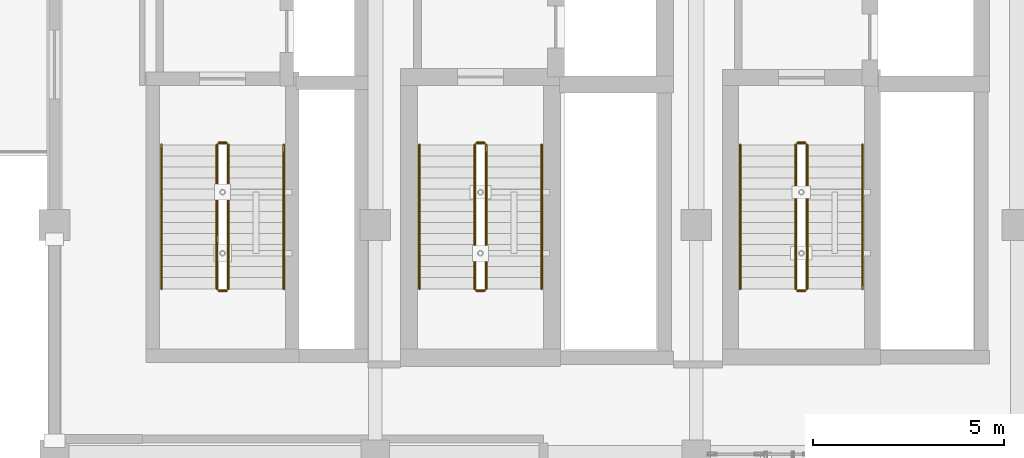
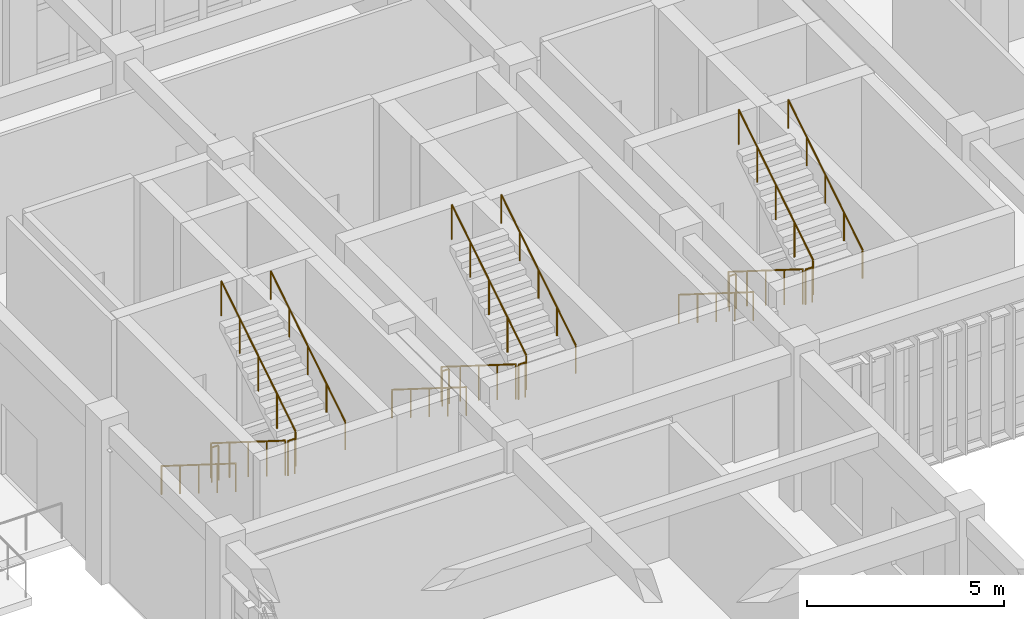
# One storey, part 93 of 93: 18 railings.
"""IFC4 building model written with IfcOpenShell, lengths in metres."""

from ifc_helpers import new_model, si_unit, direction, frame, origin, origin_2d, place, context, subcontext, project, spatial, circle, extrude, material, type_object, element, save


model = new_model("IFC4")

# Units and contexts
model_context = context("Model", 3, precision=1e-05, world=origin(), true_north=direction((0.0, 1.0)))
body_context = subcontext(model_context, "Body", "Model", "MODEL_VIEW")
ifc_project = project(units=[si_unit("LENGTHUNIT", "METRE"), si_unit("AREAUNIT", "SQUARE_METRE"), si_unit("VOLUMEUNIT", "CUBIC_METRE"), si_unit("PLANEANGLEUNIT", "RADIAN"), si_unit("MASSUNIT", "GRAM", prefix="KILO")], contexts=[model_context])

# Site, building, storey
site_placement = place(None, origin())
site = spatial("IfcSite", under=ifc_project, at=site_placement, CompositionType="ELEMENT")
building_placement = place(site_placement, origin())
building = spatial("IfcBuilding", under=site, at=building_placement, Name="Krzemoval Escarpment Law Courts", CompositionType="ELEMENT")
storey_placement = place(building_placement, frame((0.0, 0.0, 10.199951171875)))
storey = spatial("IfcBuildingStorey", under=building, at=storey_placement, Name="L02", CompositionType="ELEMENT", Elevation=10.199951171875)

# Railings
ifc_material_1 = material(Name="Galvanised Steel S355", Category="steel")
railing_type_1 = type_object("IfcRailingType", Name="RL-GRD-1100", PredefinedType="GUARDRAIL", material=ifc_material_1)
railing_1_placement = place(storey_placement, frame((130.25, 101.699951171875, 0.18212890625)))
element("IfcRailing", 1, at=railing_1_placement, inside=storey, type_object=railing_type_1, Name="L02 ST1 stair guard 1", PredefinedType="GUARDRAIL", context=body_context, shape_type="SweptSolid", body=[
    extrude(circle(Radius=0.02392578125, at=origin_2d()), frame((0.0, 0.0, 1.076171875), z_axis=(0.0, -0.846819337722, 0.53188063441), x_axis=(1.0, 0.0, 0.0)), (0.0, 0.0, 1.0), 4.451904296875),
    extrude(circle(Radius=0.02099609375, at=origin_2d()), origin(), (0.0, 0.0, 1.0), 1.052001953125),
    extrude(circle(Radius=0.02099609375, at=origin_2d()), frame((0.0, -0.9423828125, 0.592041015625)), (0.0, 0.0, 1.0), 1.052001953125),
    extrude(circle(Radius=0.02099609375, at=origin_2d()), frame((0.0, -1.885009765625, 1.18408203125)), (0.0, 0.0, 1.0), 1.052001953125),
    extrude(circle(Radius=0.02099609375, at=origin_2d()), frame((0.0, -2.82763671875, 1.77587890625)), (0.0, 0.0, 1.0), 1.052001953125),
    extrude(circle(Radius=0.02099609375, at=origin_2d()), frame((0.0, -3.77001953125, 2.367919921875)), (0.0, 0.0, 1.0), 1.052001953125),
])
railing_2_placement = place(storey_placement, frame((130.300048828125, 97.8798828125, 2.550048828125)))
element("IfcRailing", 2, at=railing_2_placement, inside=storey, type_object=railing_type_1, Name="L02 ST1 stair guard 2", PredefinedType="GUARDRAIL", context=body_context, shape_type="SweptSolid", body=[
    extrude(circle(Radius=0.02392578125, at=origin_2d()), frame((0.0, 0.0, 1.076171875), z_axis=(1.0, 0.0, 0.0), x_axis=(0.0, 1.0, 0.0)), (0.0, 0.0, 1.0), 0.199951171875),
    extrude(circle(Radius=0.02099609375, at=origin_2d()), origin(), (0.0, 0.0, 1.0), 1.052001953125),
    extrude(circle(Radius=0.02099609375, at=origin_2d()), frame((0.199951171875, 0.0, 0.0)), (0.0, 0.0, 1.0), 1.052001953125),
])
railing_3_placement = place(storey_placement, frame((130.550048828125, 97.929931640625, 2.732177734375)))
element("IfcRailing", 3, at=railing_3_placement, inside=storey, type_object=railing_type_1, Name="L02 ST1 stair guard 3", PredefinedType="GUARDRAIL", context=body_context, shape_type="SweptSolid", body=[
    extrude(circle(Radius=0.02392578125, at=origin_2d()), frame((0.0, 0.0, 1.076171875), z_axis=(0.0, 0.846819337722, 0.53188063441), x_axis=(-1.0, 0.0, 0.0)), (0.0, 0.0, 1.0), 4.451904296875),
    extrude(circle(Radius=0.02099609375, at=origin_2d()), origin(), (0.0, 0.0, 1.0), 1.052001953125),
    extrude(circle(Radius=0.02099609375, at=origin_2d()), frame((0.0, 0.9423828125, 0.592041015625)), (0.0, 0.0, 1.0), 1.052001953125),
    extrude(circle(Radius=0.02099609375, at=origin_2d()), frame((0.0, 1.885009765625, 1.18408203125)), (0.0, 0.0, 1.0), 1.052001953125),
    extrude(circle(Radius=0.02099609375, at=origin_2d()), frame((0.0, 2.82763671875, 1.77587890625)), (0.0, 0.0, 1.0), 1.052001953125),
    extrude(circle(Radius=0.02099609375, at=origin_2d()), frame((0.0, 3.77001953125, 2.367919921875)), (0.0, 0.0, 1.0), 1.052001953125),
])
railing_4_placement = place(storey_placement, frame((130.300048828125, 101.75, 0.0)))
element("IfcRailing", 4, at=railing_4_placement, inside=storey, type_object=railing_type_1, Name="L02 ST1 stair guard 4", PredefinedType="GUARDRAIL", context=body_context, shape_type="SweptSolid", body=[
    extrude(circle(Radius=0.02392578125, at=origin_2d()), frame((0.0, 0.0, 1.076171875), z_axis=(1.0, 0.0, 0.0), x_axis=(0.0, 1.0, 0.0)), (0.0, 0.0, 1.0), 0.199951171875),
    extrude(circle(Radius=0.02099609375, at=origin_2d()), origin(), (0.0, 0.0, 1.0), 1.052001953125),
    extrude(circle(Radius=0.02099609375, at=origin_2d()), frame((0.199951171875, 0.0, 0.0)), (0.0, 0.0, 1.0), 1.052001953125),
])
railing_5_placement = place(storey_placement, frame((137.0, 101.699951171875, 0.18212890625)))
element("IfcRailing", 5, at=railing_5_placement, inside=storey, type_object=railing_type_1, Name="L02 ST2 stair guard 1", PredefinedType="GUARDRAIL", context=body_context, shape_type="SweptSolid", body=[
    extrude(circle(Radius=0.02392578125, at=origin_2d()), frame((0.0, 0.0, 1.076171875), z_axis=(0.0, -0.846819337722, 0.53188063441), x_axis=(1.0, 0.0, 0.0)), (0.0, 0.0, 1.0), 4.451904296875),
    extrude(circle(Radius=0.02099609375, at=origin_2d()), origin(), (0.0, 0.0, 1.0), 1.052001953125),
    extrude(circle(Radius=0.02099609375, at=origin_2d()), frame((0.0, -0.9423828125, 0.592041015625)), (0.0, 0.0, 1.0), 1.052001953125),
    extrude(circle(Radius=0.02099609375, at=origin_2d()), frame((0.0, -1.885009765625, 1.18408203125)), (0.0, 0.0, 1.0), 1.052001953125),
    extrude(circle(Radius=0.02099609375, at=origin_2d()), frame((0.0, -2.82763671875, 1.77587890625)), (0.0, 0.0, 1.0), 1.052001953125),
    extrude(circle(Radius=0.02099609375, at=origin_2d()), frame((0.0, -3.77001953125, 2.367919921875)), (0.0, 0.0, 1.0), 1.052001953125),
])
railing_6_placement = place(storey_placement, frame((137.050048828125, 97.8798828125, 2.550048828125)))
element("IfcRailing", 6, at=railing_6_placement, inside=storey, type_object=railing_type_1, Name="L02 ST2 stair guard 2", PredefinedType="GUARDRAIL", context=body_context, shape_type="SweptSolid", body=[
    extrude(circle(Radius=0.02392578125, at=origin_2d()), frame((0.0, 0.0, 1.076171875), z_axis=(1.0, 0.0, 0.0), x_axis=(0.0, 1.0, 0.0)), (0.0, 0.0, 1.0), 0.199951171875),
    extrude(circle(Radius=0.02099609375, at=origin_2d()), origin(), (0.0, 0.0, 1.0), 1.052001953125),
    extrude(circle(Radius=0.02099609375, at=origin_2d()), frame((0.199951171875, 0.0, 0.0)), (0.0, 0.0, 1.0), 1.052001953125),
])
railing_7_placement = place(storey_placement, frame((137.300048828125, 97.929931640625, 2.732177734375)))
element("IfcRailing", 7, at=railing_7_placement, inside=storey, type_object=railing_type_1, Name="L02 ST2 stair guard 3", PredefinedType="GUARDRAIL", context=body_context, shape_type="SweptSolid", body=[
    extrude(circle(Radius=0.02392578125, at=origin_2d()), frame((0.0, 0.0, 1.076171875), z_axis=(0.0, 0.846819337722, 0.53188063441), x_axis=(-1.0, 0.0, 0.0)), (0.0, 0.0, 1.0), 4.451904296875),
    extrude(circle(Radius=0.02099609375, at=origin_2d()), origin(), (0.0, 0.0, 1.0), 1.052001953125),
    extrude(circle(Radius=0.02099609375, at=origin_2d()), frame((0.0, 0.9423828125, 0.592041015625)), (0.0, 0.0, 1.0), 1.052001953125),
    extrude(circle(Radius=0.02099609375, at=origin_2d()), frame((0.0, 1.885009765625, 1.18408203125)), (0.0, 0.0, 1.0), 1.052001953125),
    extrude(circle(Radius=0.02099609375, at=origin_2d()), frame((0.0, 2.82763671875, 1.77587890625)), (0.0, 0.0, 1.0), 1.052001953125),
    extrude(circle(Radius=0.02099609375, at=origin_2d()), frame((0.0, 3.77001953125, 2.367919921875)), (0.0, 0.0, 1.0), 1.052001953125),
])
railing_8_placement = place(storey_placement, frame((137.050048828125, 101.75, 0.0)))
element("IfcRailing", 8, at=railing_8_placement, inside=storey, type_object=railing_type_1, Name="L02 ST2 stair guard 4", PredefinedType="GUARDRAIL", context=body_context, shape_type="SweptSolid", body=[
    extrude(circle(Radius=0.02392578125, at=origin_2d()), frame((0.0, 0.0, 1.076171875), z_axis=(1.0, 0.0, 0.0), x_axis=(0.0, 1.0, 0.0)), (0.0, 0.0, 1.0), 0.199951171875),
    extrude(circle(Radius=0.02099609375, at=origin_2d()), origin(), (0.0, 0.0, 1.0), 1.052001953125),
    extrude(circle(Radius=0.02099609375, at=origin_2d()), frame((0.199951171875, 0.0, 0.0)), (0.0, 0.0, 1.0), 1.052001953125),
])
railing_9_placement = place(storey_placement, frame((145.39990234375, 101.699951171875, 0.18212890625)))
element("IfcRailing", 9, at=railing_9_placement, inside=storey, type_object=railing_type_1, Name="L02 ST3 stair guard 1", PredefinedType="GUARDRAIL", context=body_context, shape_type="SweptSolid", body=[
    extrude(circle(Radius=0.02392578125, at=origin_2d()), frame((0.0, 0.0, 1.076171875), z_axis=(0.0, -0.846819337722, 0.53188063441), x_axis=(1.0, 0.0, 0.0)), (0.0, 0.0, 1.0), 4.451904296875),
    extrude(circle(Radius=0.02099609375, at=origin_2d()), origin(), (0.0, 0.0, 1.0), 1.052001953125),
    extrude(circle(Radius=0.02099609375, at=origin_2d()), frame((0.0, -0.9423828125, 0.592041015625)), (0.0, 0.0, 1.0), 1.052001953125),
    extrude(circle(Radius=0.02099609375, at=origin_2d()), frame((0.0, -1.885009765625, 1.18408203125)), (0.0, 0.0, 1.0), 1.052001953125),
    extrude(circle(Radius=0.02099609375, at=origin_2d()), frame((0.0, -2.82763671875, 1.77587890625)), (0.0, 0.0, 1.0), 1.052001953125),
    extrude(circle(Radius=0.02099609375, at=origin_2d()), frame((0.0, -3.77001953125, 2.367919921875)), (0.0, 0.0, 1.0), 1.052001953125),
])
railing_10_placement = place(storey_placement, frame((145.449951171875, 97.8798828125, 2.550048828125)))
element("IfcRailing", 10, at=railing_10_placement, inside=storey, type_object=railing_type_1, Name="L02 ST3 stair guard 2", PredefinedType="GUARDRAIL", context=body_context, shape_type="SweptSolid", body=[
    extrude(circle(Radius=0.02392578125, at=origin_2d()), frame((0.0, 0.0, 1.076171875), z_axis=(1.0, 0.0, 0.0), x_axis=(0.0, 1.0, 0.0)), (0.0, 0.0, 1.0), 0.199951171875),
    extrude(circle(Radius=0.02099609375, at=origin_2d()), origin(), (0.0, 0.0, 1.0), 1.052001953125),
    extrude(circle(Radius=0.02099609375, at=origin_2d()), frame((0.199951171875, 0.0, 0.0)), (0.0, 0.0, 1.0), 1.052001953125),
])
railing_11_placement = place(storey_placement, frame((145.699951171875, 97.929931640625, 2.732177734375)))
element("IfcRailing", 11, at=railing_11_placement, inside=storey, type_object=railing_type_1, Name="L02 ST3 stair guard 3", PredefinedType="GUARDRAIL", context=body_context, shape_type="SweptSolid", body=[
    extrude(circle(Radius=0.02392578125, at=origin_2d()), frame((0.0, 0.0, 1.076171875), z_axis=(0.0, 0.846819337722, 0.53188063441), x_axis=(-1.0, 0.0, 0.0)), (0.0, 0.0, 1.0), 4.451904296875),
    extrude(circle(Radius=0.02099609375, at=origin_2d()), origin(), (0.0, 0.0, 1.0), 1.052001953125),
    extrude(circle(Radius=0.02099609375, at=origin_2d()), frame((0.0, 0.9423828125, 0.592041015625)), (0.0, 0.0, 1.0), 1.052001953125),
    extrude(circle(Radius=0.02099609375, at=origin_2d()), frame((0.0, 1.885009765625, 1.18408203125)), (0.0, 0.0, 1.0), 1.052001953125),
    extrude(circle(Radius=0.02099609375, at=origin_2d()), frame((0.0, 2.82763671875, 1.77587890625)), (0.0, 0.0, 1.0), 1.052001953125),
    extrude(circle(Radius=0.02099609375, at=origin_2d()), frame((0.0, 3.77001953125, 2.367919921875)), (0.0, 0.0, 1.0), 1.052001953125),
])
railing_12_placement = place(storey_placement, frame((145.449951171875, 101.75, 0.0)))
element("IfcRailing", 12, at=railing_12_placement, inside=storey, type_object=railing_type_1, Name="L02 ST3 stair guard 4", PredefinedType="GUARDRAIL", context=body_context, shape_type="SweptSolid", body=[
    extrude(circle(Radius=0.02392578125, at=origin_2d()), frame((0.0, 0.0, 1.076171875), z_axis=(1.0, 0.0, 0.0), x_axis=(0.0, 1.0, 0.0)), (0.0, 0.0, 1.0), 0.199951171875),
    extrude(circle(Radius=0.02099609375, at=origin_2d()), origin(), (0.0, 0.0, 1.0), 1.052001953125),
    extrude(circle(Radius=0.02099609375, at=origin_2d()), frame((0.199951171875, 0.0, 0.0)), (0.0, 0.0, 1.0), 1.052001953125),
])
ifc_material_2 = material(Name="Brushed Stainless Steel Grade 304 Handrail", Category="steel")
railing_type_2 = type_object("IfcRailingType", Name="RL-HND-900", PredefinedType="HANDRAIL", material=ifc_material_2)
railing_13_placement = place(storey_placement, frame((128.800048828125, 101.699951171875, 0.18212890625)))
element("IfcRailing", 13, at=railing_13_placement, inside=storey, type_object=railing_type_2, Name="L02 ST1 stair handrail 1", PredefinedType="HANDRAIL", context=body_context, shape_type="SweptSolid", body=[
    extrude(circle(Radius=0.02392578125, at=origin_2d()), frame((0.0, 0.0, 0.8759765625), z_axis=(0.0, -0.846819337722, 0.53188063441), x_axis=(1.0, 0.0, 0.0)), (0.0, 0.0, 1.0), 4.451904296875),
    extrude(circle(Radius=0.02099609375, at=origin_2d()), origin(), (0.0, 0.0, 1.0), 0.851806640625),
    extrude(circle(Radius=0.02099609375, at=origin_2d()), frame((0.0, -0.9423828125, 0.592041015625)), (0.0, 0.0, 1.0), 0.851806640625),
    extrude(circle(Radius=0.02099609375, at=origin_2d()), frame((0.0, -1.885009765625, 1.18408203125)), (0.0, 0.0, 1.0), 0.851806640625),
    extrude(circle(Radius=0.02099609375, at=origin_2d()), frame((0.0, -2.82763671875, 1.77587890625)), (0.0, 0.0, 1.0), 0.851806640625),
    extrude(circle(Radius=0.02099609375, at=origin_2d()), frame((0.0, -3.77001953125, 2.367919921875)), (0.0, 0.0, 1.0), 0.851806640625),
])
railing_14_placement = place(storey_placement, frame((132.0, 97.929931640625, 2.732177734375)))
element("IfcRailing", 14, at=railing_14_placement, inside=storey, type_object=railing_type_2, Name="L02 ST1 stair handrail 2", PredefinedType="HANDRAIL", context=body_context, shape_type="SweptSolid", body=[
    extrude(circle(Radius=0.02392578125, at=origin_2d()), frame((0.0, 0.0, 0.8759765625), z_axis=(0.0, 0.846819337722, 0.53188063441), x_axis=(-1.0, 0.0, 0.0)), (0.0, 0.0, 1.0), 4.451904296875),
    extrude(circle(Radius=0.02099609375, at=origin_2d()), origin(), (0.0, 0.0, 1.0), 0.851806640625),
    extrude(circle(Radius=0.02099609375, at=origin_2d()), frame((0.0, 0.9423828125, 0.592041015625)), (0.0, 0.0, 1.0), 0.851806640625),
    extrude(circle(Radius=0.02099609375, at=origin_2d()), frame((0.0, 1.885009765625, 1.18408203125)), (0.0, 0.0, 1.0), 0.851806640625),
    extrude(circle(Radius=0.02099609375, at=origin_2d()), frame((0.0, 2.82763671875, 1.77587890625)), (0.0, 0.0, 1.0), 0.851806640625),
    extrude(circle(Radius=0.02099609375, at=origin_2d()), frame((0.0, 3.77001953125, 2.367919921875)), (0.0, 0.0, 1.0), 0.851806640625),
])
railing_15_placement = place(storey_placement, frame((135.550048828125, 101.699951171875, 0.18212890625)))
element("IfcRailing", 15, at=railing_15_placement, inside=storey, type_object=railing_type_2, Name="L02 ST2 stair handrail 1", PredefinedType="HANDRAIL", context=body_context, shape_type="SweptSolid", body=[
    extrude(circle(Radius=0.02392578125, at=origin_2d()), frame((0.0, 0.0, 0.8759765625), z_axis=(0.0, -0.846819337722, 0.53188063441), x_axis=(1.0, 0.0, 0.0)), (0.0, 0.0, 1.0), 4.451904296875),
    extrude(circle(Radius=0.02099609375, at=origin_2d()), origin(), (0.0, 0.0, 1.0), 0.851806640625),
    extrude(circle(Radius=0.02099609375, at=origin_2d()), frame((0.0, -0.9423828125, 0.592041015625)), (0.0, 0.0, 1.0), 0.851806640625),
    extrude(circle(Radius=0.02099609375, at=origin_2d()), frame((0.0, -1.885009765625, 1.18408203125)), (0.0, 0.0, 1.0), 0.851806640625),
    extrude(circle(Radius=0.02099609375, at=origin_2d()), frame((0.0, -2.82763671875, 1.77587890625)), (0.0, 0.0, 1.0), 0.851806640625),
    extrude(circle(Radius=0.02099609375, at=origin_2d()), frame((0.0, -3.77001953125, 2.367919921875)), (0.0, 0.0, 1.0), 0.851806640625),
])
railing_16_placement = place(storey_placement, frame((138.75, 97.929931640625, 2.732177734375)))
element("IfcRailing", 16, at=railing_16_placement, inside=storey, type_object=railing_type_2, Name="L02 ST2 stair handrail 2", PredefinedType="HANDRAIL", context=body_context, shape_type="SweptSolid", body=[
    extrude(circle(Radius=0.02392578125, at=origin_2d()), frame((0.0, 0.0, 0.8759765625), z_axis=(0.0, 0.846819337722, 0.53188063441), x_axis=(-1.0, 0.0, 0.0)), (0.0, 0.0, 1.0), 4.451904296875),
    extrude(circle(Radius=0.02099609375, at=origin_2d()), origin(), (0.0, 0.0, 1.0), 0.851806640625),
    extrude(circle(Radius=0.02099609375, at=origin_2d()), frame((0.0, 0.9423828125, 0.592041015625)), (0.0, 0.0, 1.0), 0.851806640625),
    extrude(circle(Radius=0.02099609375, at=origin_2d()), frame((0.0, 1.885009765625, 1.18408203125)), (0.0, 0.0, 1.0), 0.851806640625),
    extrude(circle(Radius=0.02099609375, at=origin_2d()), frame((0.0, 2.82763671875, 1.77587890625)), (0.0, 0.0, 1.0), 0.851806640625),
    extrude(circle(Radius=0.02099609375, at=origin_2d()), frame((0.0, 3.77001953125, 2.367919921875)), (0.0, 0.0, 1.0), 0.851806640625),
])
railing_17_placement = place(storey_placement, frame((143.949951171875, 101.699951171875, 0.18212890625)))
element("IfcRailing", 17, at=railing_17_placement, inside=storey, type_object=railing_type_2, Name="L02 ST3 stair handrail 1", PredefinedType="HANDRAIL", context=body_context, shape_type="SweptSolid", body=[
    extrude(circle(Radius=0.02392578125, at=origin_2d()), frame((0.0, 0.0, 0.8759765625), z_axis=(0.0, -0.846819337722, 0.53188063441), x_axis=(1.0, 0.0, 0.0)), (0.0, 0.0, 1.0), 4.451904296875),
    extrude(circle(Radius=0.02099609375, at=origin_2d()), origin(), (0.0, 0.0, 1.0), 0.851806640625),
    extrude(circle(Radius=0.02099609375, at=origin_2d()), frame((0.0, -0.9423828125, 0.592041015625)), (0.0, 0.0, 1.0), 0.851806640625),
    extrude(circle(Radius=0.02099609375, at=origin_2d()), frame((0.0, -1.885009765625, 1.18408203125)), (0.0, 0.0, 1.0), 0.851806640625),
    extrude(circle(Radius=0.02099609375, at=origin_2d()), frame((0.0, -2.82763671875, 1.77587890625)), (0.0, 0.0, 1.0), 0.851806640625),
    extrude(circle(Radius=0.02099609375, at=origin_2d()), frame((0.0, -3.77001953125, 2.367919921875)), (0.0, 0.0, 1.0), 0.851806640625),
])
railing_18_placement = place(storey_placement, frame((147.14990234375, 97.929931640625, 2.732177734375)))
element("IfcRailing", 18, at=railing_18_placement, inside=storey, type_object=railing_type_2, Name="L02 ST3 stair handrail 2", PredefinedType="HANDRAIL", context=body_context, shape_type="SweptSolid", body=[
    extrude(circle(Radius=0.02392578125, at=origin_2d()), frame((0.0, 0.0, 0.8759765625), z_axis=(0.0, 0.846819337722, 0.53188063441), x_axis=(-1.0, 0.0, 0.0)), (0.0, 0.0, 1.0), 4.451904296875),
    extrude(circle(Radius=0.02099609375, at=origin_2d()), origin(), (0.0, 0.0, 1.0), 0.851806640625),
    extrude(circle(Radius=0.02099609375, at=origin_2d()), frame((0.0, 0.9423828125, 0.592041015625)), (0.0, 0.0, 1.0), 0.851806640625),
    extrude(circle(Radius=0.02099609375, at=origin_2d()), frame((0.0, 1.885009765625, 1.18408203125)), (0.0, 0.0, 1.0), 0.851806640625),
    extrude(circle(Radius=0.02099609375, at=origin_2d()), frame((0.0, 2.82763671875, 1.77587890625)), (0.0, 0.0, 1.0), 0.851806640625),
    extrude(circle(Radius=0.02099609375, at=origin_2d()), frame((0.0, 3.77001953125, 2.367919921875)), (0.0, 0.0, 1.0), 0.851806640625),
])

save(model, "model.ifc")
